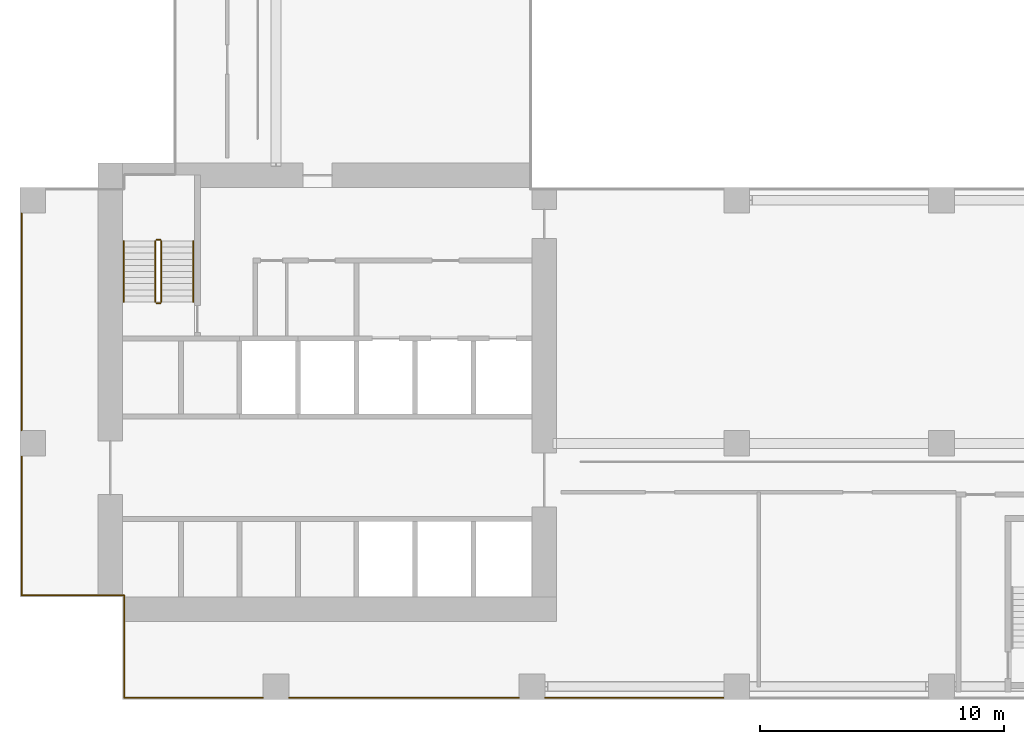
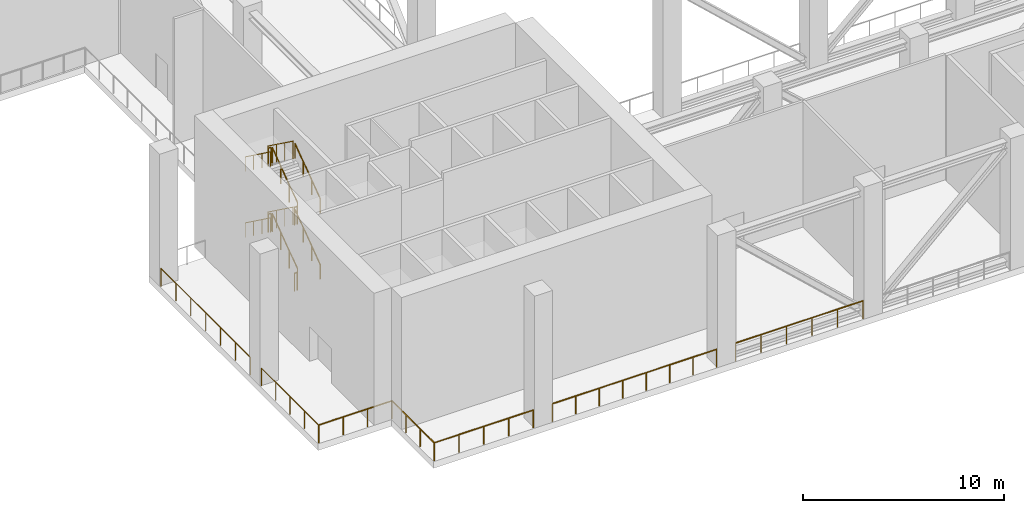
# One storey, part 5 of 10: 19 railings.
"""IFC4 building model written with IfcOpenShell, lengths in metres."""

from ifc_helpers import new_model, si_unit, direction, frame, origin, origin_2d, place, context, subcontext, project, spatial, circle, extrude, source, transform, mapped, material, type_object, element, save


model = new_model("IFC4")

# Units and contexts
model_context = context("Model", 3, precision=1e-05, world=origin(), true_north=direction((0.0, 1.0)))
body_context = subcontext(model_context, "Body", "Model", "MODEL_VIEW")
ifc_project = project(units=[si_unit("LENGTHUNIT", "METRE"), si_unit("AREAUNIT", "SQUARE_METRE"), si_unit("VOLUMEUNIT", "CUBIC_METRE"), si_unit("PLANEANGLEUNIT", "RADIAN"), si_unit("MASSUNIT", "GRAM", prefix="KILO")], contexts=[model_context])

# Site, building, storey
site_placement = place(None, origin())
site = spatial("IfcSite", under=ifc_project, at=site_placement, CompositionType="ELEMENT")
building_placement = place(site_placement, origin())
building = spatial("IfcBuilding", under=site, at=building_placement, Name="Aurelian Terraces", CompositionType="ELEMENT")
storey_placement = place(building_placement, frame((0.0, 0.0, 162.3)))
storey = spatial("IfcBuildingStorey", under=building, at=storey_placement, Name="L36", CompositionType="ELEMENT", Elevation=162.3)

# Railings
ifc_material_1 = material(Name="Anodised aluminium", Category="aluminium")
railing_type_1 = type_object("IfcRailingType", Name="GUARD-1100", PredefinedType="GUARDRAIL", material=ifc_material_1)
railing_1_placement = place(storey_placement, frame((20.455, 0.07, 0.0)))
element("IfcRailing", 1, at=railing_1_placement, inside=storey, type_object=railing_type_1, Name="Wind floor guard L36 12", PredefinedType="GUARDRAIL", context=body_context, shape_type="SweptSolid", body=[
    extrude(circle(Radius=0.024, at=origin_2d()), frame((0.0, 0.0, 1.076), z_axis=(-1.0, 0.0, 0.0), x_axis=(0.0, -1.0, 0.0)), (0.0, 0.0, 1.0), 9.41),
    extrude(circle(Radius=0.021, at=origin_2d()), origin(), (0.0, 0.0, 1.0), 1.052),
    extrude(circle(Radius=0.021, at=origin_2d()), frame((-1.3443, 0.0, 0.0)), (0.0, 0.0, 1.0), 1.052),
    extrude(circle(Radius=0.021, at=origin_2d()), frame((-2.6886, 0.0, 0.0)), (0.0, 0.0, 1.0), 1.052),
    extrude(circle(Radius=0.021, at=origin_2d()), frame((-4.0329, 0.0, 0.0)), (0.0, 0.0, 1.0), 1.052),
    extrude(circle(Radius=0.021, at=origin_2d()), frame((-5.3771, 0.0, 0.0)), (0.0, 0.0, 1.0), 1.052),
    extrude(circle(Radius=0.021, at=origin_2d()), frame((-6.7214, 0.0, 0.0)), (0.0, 0.0, 1.0), 1.052),
    extrude(circle(Radius=0.021, at=origin_2d()), frame((-8.0657, 0.0, 0.0)), (0.0, 0.0, 1.0), 1.052),
    extrude(circle(Radius=0.021, at=origin_2d()), frame((-9.41, 0.0, 0.0)), (0.0, 0.0, 1.0), 1.052),
])
railing_2_placement = place(storey_placement, frame((9.955, 0.07, 0.0)))
element("IfcRailing", 2, at=railing_2_placement, inside=storey, type_object=railing_type_1, Name="Wind floor guard L36 13", PredefinedType="GUARDRAIL", context=body_context, shape_type="SweptSolid", body=[
    extrude(circle(Radius=0.024, at=origin_2d()), frame((0.0, 0.0, 1.076), z_axis=(-1.0, 0.0, 0.0), x_axis=(0.0, -1.0, 0.0)), (0.0, 0.0, 1.0), 5.685),
    extrude(circle(Radius=0.021, at=origin_2d()), origin(), (0.0, 0.0, 1.0), 1.052),
    extrude(circle(Radius=0.021, at=origin_2d()), frame((-1.4213, 0.0, 0.0)), (0.0, 0.0, 1.0), 1.052),
    extrude(circle(Radius=0.021, at=origin_2d()), frame((-2.8425, 0.0, 0.0)), (0.0, 0.0, 1.0), 1.052),
    extrude(circle(Radius=0.021, at=origin_2d()), frame((-4.2638, 0.0, 0.0)), (0.0, 0.0, 1.0), 1.052),
    extrude(circle(Radius=0.021, at=origin_2d()), frame((-5.685, 0.0, 0.0)), (0.0, 0.0, 1.0), 1.052),
])
railing_3_placement = place(storey_placement, frame((4.27, 0.07, 0.0)))
element("IfcRailing", 3, at=railing_3_placement, inside=storey, type_object=railing_type_1, Name="Wind floor guard L36 14", PredefinedType="GUARDRAIL", context=body_context, shape_type="SweptSolid", body=[
    extrude(circle(Radius=0.024, at=origin_2d()), frame((0.0, 0.0, 1.076), z_axis=(0.0, 1.0, 0.0), x_axis=(-1.0, 0.0, 0.0)), (0.0, 0.0, 1.0), 4.2),
    extrude(circle(Radius=0.021, at=origin_2d()), origin(), (0.0, 0.0, 1.0), 1.052),
    extrude(circle(Radius=0.021, at=origin_2d()), frame((0.0, 1.4, 0.0)), (0.0, 0.0, 1.0), 1.052),
    extrude(circle(Radius=0.021, at=origin_2d()), frame((0.0, 2.8, 0.0)), (0.0, 0.0, 1.0), 1.052),
    extrude(circle(Radius=0.021, at=origin_2d()), frame((0.0, 4.2, 0.0)), (0.0, 0.0, 1.0), 1.052),
])
railing_4_placement = place(storey_placement, frame((0.07, 4.27, 0.0)))
element("IfcRailing", 4, at=railing_4_placement, inside=storey, type_object=railing_type_1, Name="Wind floor guard L36 16", PredefinedType="GUARDRAIL", context=body_context, shape_type="SweptSolid", body=[
    extrude(circle(Radius=0.024, at=origin_2d()), frame((0.0, 0.0, 1.076), z_axis=(0.0, 1.0, 0.0), x_axis=(-1.0, 0.0, 0.0)), (0.0, 0.0, 1.0), 5.685),
    extrude(circle(Radius=0.021, at=origin_2d()), origin(), (0.0, 0.0, 1.0), 1.052),
    extrude(circle(Radius=0.021, at=origin_2d()), frame((0.0, 1.4213, 0.0)), (0.0, 0.0, 1.0), 1.052),
    extrude(circle(Radius=0.021, at=origin_2d()), frame((0.0, 2.8425, 0.0)), (0.0, 0.0, 1.0), 1.052),
    extrude(circle(Radius=0.021, at=origin_2d()), frame((0.0, 4.2638, 0.0)), (0.0, 0.0, 1.0), 1.052),
    extrude(circle(Radius=0.021, at=origin_2d()), frame((0.0, 5.685, 0.0)), (0.0, 0.0, 1.0), 1.052),
])
railing_5_placement = place(storey_placement, frame((0.07, 11.045, 0.0)))
element("IfcRailing", 5, at=railing_5_placement, inside=storey, type_object=railing_type_1, Name="Wind floor guard L36 17", PredefinedType="GUARDRAIL", context=body_context, shape_type="SweptSolid", body=[
    extrude(circle(Radius=0.024, at=origin_2d()), frame((0.0, 0.0, 1.076), z_axis=(0.0, 1.0, 0.0), x_axis=(-1.0, 0.0, 0.0)), (0.0, 0.0, 1.0), 8.885),
    extrude(circle(Radius=0.021, at=origin_2d()), origin(), (0.0, 0.0, 1.0), 1.052),
    extrude(circle(Radius=0.021, at=origin_2d()), frame((0.0, 1.4808, 0.0)), (0.0, 0.0, 1.0), 1.052),
    extrude(circle(Radius=0.021, at=origin_2d()), frame((0.0, 2.9617, 0.0)), (0.0, 0.0, 1.0), 1.052),
    extrude(circle(Radius=0.021, at=origin_2d()), frame((0.0, 4.4425, 0.0)), (0.0, 0.0, 1.0), 1.052),
    extrude(circle(Radius=0.021, at=origin_2d()), frame((0.0, 5.9233, 0.0)), (0.0, 0.0, 1.0), 1.052),
    extrude(circle(Radius=0.021, at=origin_2d()), frame((0.0, 7.4042, 0.0)), (0.0, 0.0, 1.0), 1.052),
    extrude(circle(Radius=0.021, at=origin_2d()), frame((0.0, 8.885, 0.0)), (0.0, 0.0, 1.0), 1.052),
])
ifc_material_2 = material(Name="Stainless steel", Category="steel")
railing_type_2 = type_object("IfcRailingType", Name="Stair guard 1100", PredefinedType="GUARDRAIL", material=ifc_material_2)
railing_6_placement = place(storey_placement, frame((5.8, 16.3, 0.1818)))
element("IfcRailing", 6, at=railing_6_placement, inside=storey, type_object=railing_type_2, Name="L36 S1 stair guard 1", PredefinedType="GUARDRAIL", context=body_context, shape_type="SweptSolid", body=[
    extrude(circle(Radius=0.024, at=origin_2d()), frame((0.0, 0.0, 1.076), z_axis=(0.0, 0.808733286514, 0.588175544616), x_axis=(-1.0, 0.0, 0.0)), (0.0, 0.0, 1.0), 3.0913),
    extrude(circle(Radius=0.021, at=origin_2d()), origin(), (0.0, 0.0, 1.0), 1.052),
    extrude(circle(Radius=0.021, at=origin_2d()), frame((0.0, 0.8333, 0.6061)), (0.0, 0.0, 1.0), 1.052),
    extrude(circle(Radius=0.021, at=origin_2d()), frame((0.0, 1.6667, 1.2121)), (0.0, 0.0, 1.0), 1.052),
    extrude(circle(Radius=0.021, at=origin_2d()), frame((0.0, 2.5, 1.8182)), (0.0, 0.0, 1.0), 1.052),
])
railing_7_placement = place(storey_placement, frame((5.55, 18.8, 2.1818)))
element("IfcRailing", 7, at=railing_7_placement, inside=storey, type_object=railing_type_2, Name="L36 S1 stair guard 3", PredefinedType="GUARDRAIL", context=body_context, shape_type="SweptSolid", body=[
    extrude(circle(Radius=0.024, at=origin_2d()), frame((0.0, 0.0, 1.076), z_axis=(0.0, -0.808733286514, 0.588175544616), x_axis=(1.0, 0.0, 0.0)), (0.0, 0.0, 1.0), 3.0913),
    extrude(circle(Radius=0.021, at=origin_2d()), origin(), (0.0, 0.0, 1.0), 1.052),
    extrude(circle(Radius=0.021, at=origin_2d()), frame((0.0, -0.8333, 0.6061)), (0.0, 0.0, 1.0), 1.052),
    extrude(circle(Radius=0.021, at=origin_2d()), frame((0.0, -1.6667, 1.2121)), (0.0, 0.0, 1.0), 1.052),
    extrude(circle(Radius=0.021, at=origin_2d()), frame((0.0, -2.5, 1.8182)), (0.0, 0.0, 1.0), 1.052),
])
railing_type_3 = type_object("IfcRailingType", Name="Stair handrail", PredefinedType="HANDRAIL", material=ifc_material_2)
railing_8_placement = place(storey_placement, frame((7.1, 16.3, 0.1818)))
element("IfcRailing", 8, at=railing_8_placement, inside=storey, type_object=railing_type_3, Name="L36 S1 stair handrail 1", PredefinedType="HANDRAIL", context=body_context, shape_type="SweptSolid", body=[
    extrude(circle(Radius=0.024, at=origin_2d()), frame((0.0, 0.0, 0.876), z_axis=(0.0, 0.808733286514, 0.588175544616), x_axis=(-1.0, 0.0, 0.0)), (0.0, 0.0, 1.0), 3.0913),
    extrude(circle(Radius=0.021, at=origin_2d()), origin(), (0.0, 0.0, 1.0), 0.852),
    extrude(circle(Radius=0.021, at=origin_2d()), frame((0.0, 0.8333, 0.6061)), (0.0, 0.0, 1.0), 0.852),
    extrude(circle(Radius=0.021, at=origin_2d()), frame((0.0, 1.6667, 1.2121)), (0.0, 0.0, 1.0), 0.852),
    extrude(circle(Radius=0.021, at=origin_2d()), frame((0.0, 2.5, 1.8182)), (0.0, 0.0, 1.0), 0.852),
])
railing_9_placement = place(storey_placement, frame((4.25, 18.8, 2.1818)))
element("IfcRailing", 9, at=railing_9_placement, inside=storey, type_object=railing_type_3, Name="L36 S1 stair handrail 2", PredefinedType="HANDRAIL", context=body_context, shape_type="SweptSolid", body=[
    extrude(circle(Radius=0.024, at=origin_2d()), frame((0.0, 0.0, 0.876), z_axis=(0.0, -0.808733286514, 0.588175544616), x_axis=(1.0, 0.0, 0.0)), (0.0, 0.0, 1.0), 3.0913),
    extrude(circle(Radius=0.021, at=origin_2d()), origin(), (0.0, 0.0, 1.0), 0.852),
    extrude(circle(Radius=0.021, at=origin_2d()), frame((0.0, -0.8333, 0.6061)), (0.0, 0.0, 1.0), 0.852),
    extrude(circle(Radius=0.021, at=origin_2d()), frame((0.0, -1.6667, 1.2121)), (0.0, 0.0, 1.0), 0.852),
    extrude(circle(Radius=0.021, at=origin_2d()), frame((0.0, -2.5, 1.8182)), (0.0, 0.0, 1.0), 0.852),
])
shared_shape_1 = source(origin(), body_context, "Body", "SweptSolid", [
    extrude(circle(Radius=0.024, at=origin_2d()), frame((0.0, 0.0, 1.076), z_axis=(-1.0, 0.0, 0.0), x_axis=(0.0, -1.0, 0.0)), (0.0, 0.0, 1.0), 7.31),
    extrude(circle(Radius=0.021, at=origin_2d()), origin(), (0.0, 0.0, 1.0), 1.052),
    extrude(circle(Radius=0.021, at=origin_2d()), frame((-1.462, 0.0, 0.0)), (0.0, 0.0, 1.0), 1.052),
    extrude(circle(Radius=0.021, at=origin_2d()), frame((-2.924, 0.0, 0.0)), (0.0, 0.0, 1.0), 1.052),
    extrude(circle(Radius=0.021, at=origin_2d()), frame((-4.386, 0.0, 0.0)), (0.0, 0.0, 1.0), 1.052),
    extrude(circle(Radius=0.021, at=origin_2d()), frame((-5.848, 0.0, 0.0)), (0.0, 0.0, 1.0), 1.052),
    extrude(circle(Radius=0.021, at=origin_2d()), frame((-7.31, 0.0, 0.0)), (0.0, 0.0, 1.0), 1.052),
])
railing_10_placement = place(storey_placement, frame((28.855, 0.07, 0.0)))
element("IfcRailing", 10, at=railing_10_placement, inside=storey, type_object=railing_type_1, Name="Wind floor guard L36 11", PredefinedType="GUARDRAIL", context=body_context, shape_type="MappedRepresentation", body=[
    mapped(shared_shape_1, transform((0.0, 0.0, 0.0), scale=1.0)),
])
shared_shape_2 = source(origin(), body_context, "Body", "SweptSolid", [
    extrude(circle(Radius=0.024, at=origin_2d()), frame((0.0, 0.0, 1.076), z_axis=(-1.0, 0.0, 0.0), x_axis=(0.0, -1.0, 0.0)), (0.0, 0.0, 1.0), 4.2),
    extrude(circle(Radius=0.021, at=origin_2d()), origin(), (0.0, 0.0, 1.0), 1.052),
    extrude(circle(Radius=0.021, at=origin_2d()), frame((-1.4, 0.0, 0.0)), (0.0, 0.0, 1.0), 1.052),
    extrude(circle(Radius=0.021, at=origin_2d()), frame((-2.8, 0.0, 0.0)), (0.0, 0.0, 1.0), 1.052),
    extrude(circle(Radius=0.021, at=origin_2d()), frame((-4.2, 0.0, 0.0)), (0.0, 0.0, 1.0), 1.052),
])
railing_11_placement = place(storey_placement, frame((4.27, 4.27, 0.0)))
element("IfcRailing", 11, at=railing_11_placement, inside=storey, type_object=railing_type_1, Name="Wind floor guard L36 15", PredefinedType="GUARDRAIL", context=body_context, shape_type="MappedRepresentation", body=[
    mapped(shared_shape_2, transform((0.0, 0.0, 0.0), scale=1.0)),
])
shared_shape_3 = source(origin(), body_context, "Body", "SweptSolid", [
    extrude(circle(Radius=0.024, at=origin_2d()), frame((0.0, 0.0, 1.076), z_axis=(-1.0, 0.0, 0.0), x_axis=(0.0, -1.0, 0.0)), (0.0, 0.0, 1.0), 0.15),
    extrude(circle(Radius=0.021, at=origin_2d()), origin(), (0.0, 0.0, 1.0), 1.052),
    extrude(circle(Radius=0.021, at=origin_2d()), frame((-0.15, 0.0, 0.0)), (0.0, 0.0, 1.0), 1.052),
])
for number, where, name in (
    (12, (5.75, 18.85, 2.0), "L36 S1 stair guard 2"),
    (13, (5.75, 16.25, 4.0), "L36 S1 stair guard 4"),
    (14, (5.75, 18.85, 6.0), "L36 S1 stair guard 6"),
    (15, (5.75, 16.25, 0.0), "L36 S1 stair guard 8"),
):
    element("IfcRailing", number, at=place(storey_placement, frame(where)), inside=storey, type_object=railing_type_2, Name=name, PredefinedType="GUARDRAIL", context=body_context, shape_type="MappedRepresentation", body=[
        mapped(shared_shape_3, transform((0.0, 0.0, 0.0), scale=1.0)),
    ])
shared_shape_4 = source(origin(), body_context, "Body", "SweptSolid", [
    extrude(circle(Radius=0.024, at=origin_2d()), frame((0.0, 0.0, 1.076), z_axis=(0.0, 0.808733286514, 0.588175544616), x_axis=(-1.0, 0.0, 0.0)), (0.0, 0.0, 1.0), 3.0913),
    extrude(circle(Radius=0.021, at=origin_2d()), origin(), (0.0, 0.0, 1.0), 1.052),
    extrude(circle(Radius=0.021, at=origin_2d()), frame((0.0, 0.8333, 0.6061)), (0.0, 0.0, 1.0), 1.052),
    extrude(circle(Radius=0.021, at=origin_2d()), frame((0.0, 1.6667, 1.2121)), (0.0, 0.0, 1.0), 1.052),
    extrude(circle(Radius=0.021, at=origin_2d()), frame((0.0, 2.5, 1.8182)), (0.0, 0.0, 1.0), 1.052),
])
railing_12_placement = place(storey_placement, frame((5.8, 16.3, 4.1818)))
element("IfcRailing", 16, at=railing_12_placement, inside=storey, type_object=railing_type_2, Name="L36 S1 stair guard 5", PredefinedType="GUARDRAIL", context=body_context, shape_type="MappedRepresentation", body=[
    mapped(shared_shape_4, transform((0.0, 0.0, 0.0), scale=1.0)),
])
shared_shape_5 = source(origin(), body_context, "Body", "SweptSolid", [
    extrude(circle(Radius=0.024, at=origin_2d()), frame((0.0, 0.0, 1.076), z_axis=(0.0, -0.808733286514, 0.588175544616), x_axis=(1.0, 0.0, 0.0)), (0.0, 0.0, 1.0), 3.0913),
    extrude(circle(Radius=0.021, at=origin_2d()), origin(), (0.0, 0.0, 1.0), 1.052),
    extrude(circle(Radius=0.021, at=origin_2d()), frame((0.0, -0.8333, 0.6061)), (0.0, 0.0, 1.0), 1.052),
    extrude(circle(Radius=0.021, at=origin_2d()), frame((0.0, -1.6667, 1.2121)), (0.0, 0.0, 1.0), 1.052),
    extrude(circle(Radius=0.021, at=origin_2d()), frame((0.0, -2.5, 1.8182)), (0.0, 0.0, 1.0), 1.052),
])
railing_13_placement = place(storey_placement, frame((5.55, 18.8, 6.1818)))
element("IfcRailing", 17, at=railing_13_placement, inside=storey, type_object=railing_type_2, Name="L36 S1 stair guard 7", PredefinedType="GUARDRAIL", context=body_context, shape_type="MappedRepresentation", body=[
    mapped(shared_shape_5, transform((0.0, 0.0, 0.0), scale=1.0)),
])
shared_shape_6 = source(origin(), body_context, "Body", "SweptSolid", [
    extrude(circle(Radius=0.024, at=origin_2d()), frame((0.0, 0.0, 0.876), z_axis=(0.0, 0.808733286514, 0.588175544616), x_axis=(-1.0, 0.0, 0.0)), (0.0, 0.0, 1.0), 3.0913),
    extrude(circle(Radius=0.021, at=origin_2d()), origin(), (0.0, 0.0, 1.0), 0.852),
    extrude(circle(Radius=0.021, at=origin_2d()), frame((0.0, 0.8333, 0.6061)), (0.0, 0.0, 1.0), 0.852),
    extrude(circle(Radius=0.021, at=origin_2d()), frame((0.0, 1.6667, 1.2121)), (0.0, 0.0, 1.0), 0.852),
    extrude(circle(Radius=0.021, at=origin_2d()), frame((0.0, 2.5, 1.8182)), (0.0, 0.0, 1.0), 0.852),
])
railing_14_placement = place(storey_placement, frame((7.1, 16.3, 4.1818)))
element("IfcRailing", 18, at=railing_14_placement, inside=storey, type_object=railing_type_3, Name="L36 S1 stair handrail 3", PredefinedType="HANDRAIL", context=body_context, shape_type="MappedRepresentation", body=[
    mapped(shared_shape_6, transform((0.0, 0.0, 0.0), scale=1.0)),
])
shared_shape_7 = source(origin(), body_context, "Body", "SweptSolid", [
    extrude(circle(Radius=0.024, at=origin_2d()), frame((0.0, 0.0, 0.876), z_axis=(0.0, -0.808733286514, 0.588175544616), x_axis=(1.0, 0.0, 0.0)), (0.0, 0.0, 1.0), 3.0913),
    extrude(circle(Radius=0.021, at=origin_2d()), origin(), (0.0, 0.0, 1.0), 0.852),
    extrude(circle(Radius=0.021, at=origin_2d()), frame((0.0, -0.8333, 0.6061)), (0.0, 0.0, 1.0), 0.852),
    extrude(circle(Radius=0.021, at=origin_2d()), frame((0.0, -1.6667, 1.2121)), (0.0, 0.0, 1.0), 0.852),
    extrude(circle(Radius=0.021, at=origin_2d()), frame((0.0, -2.5, 1.8182)), (0.0, 0.0, 1.0), 0.852),
])
railing_15_placement = place(storey_placement, frame((4.25, 18.8, 6.1818)))
element("IfcRailing", 19, at=railing_15_placement, inside=storey, type_object=railing_type_3, Name="L36 S1 stair handrail 4", PredefinedType="HANDRAIL", context=body_context, shape_type="MappedRepresentation", body=[
    mapped(shared_shape_7, transform((0.0, 0.0, 0.0), scale=1.0)),
])

save(model, "model.ifc")
